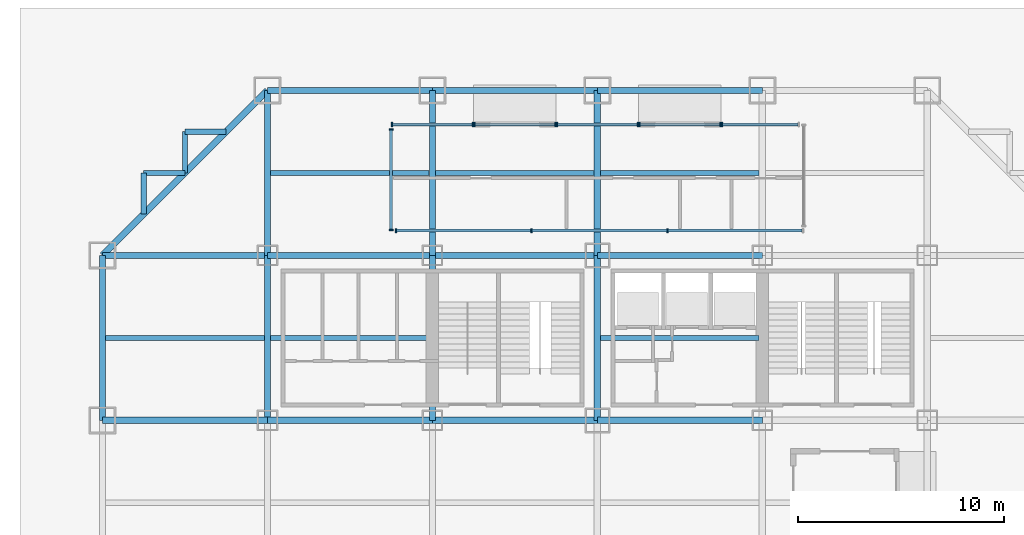
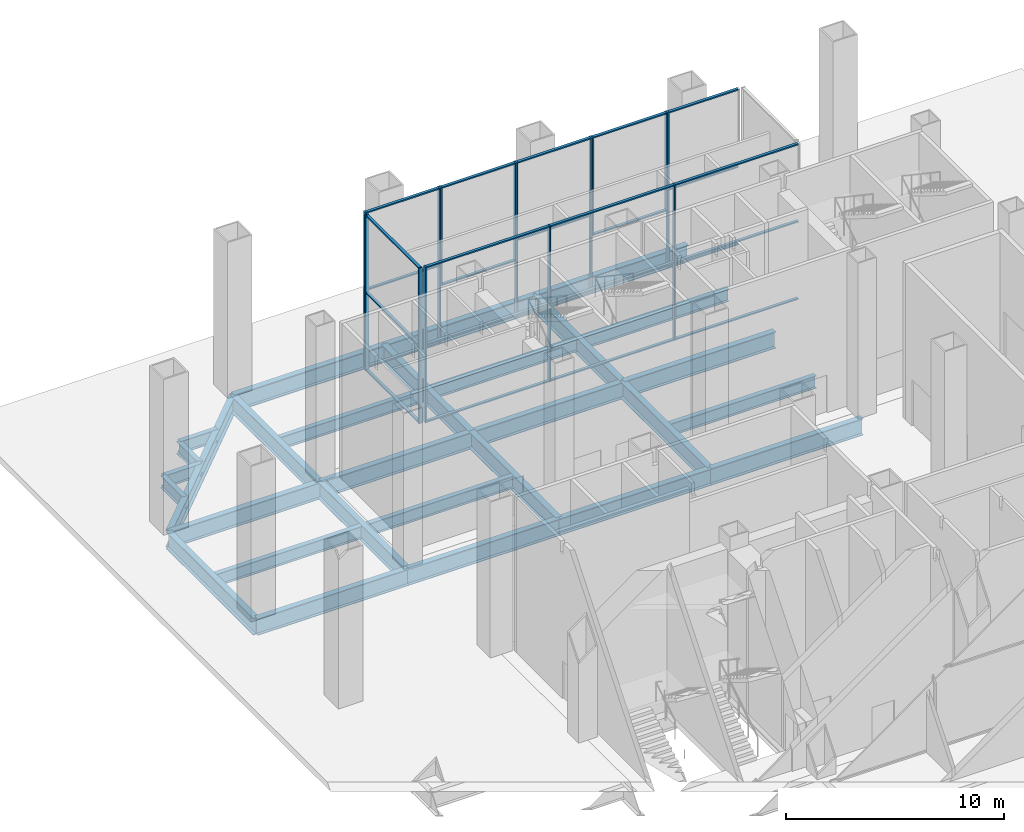
# One storey, part 4 of 14: 39 members, 29 beams, 7 elements without a shape of their own.
"""IFC4 building model written with IfcOpenShell, lengths in metres."""

from ifc_helpers import new_model, si_unit, direction, frame, origin, origin_2d, place, context, subcontext, project, spatial, rectangle, i_section, extrude, material, material_profile, profile_set, type_object, element, aggregate, save


model = new_model("IFC4")

# Units and contexts
model_context = context("Model", 3, precision=1e-05, world=origin(), true_north=direction((0.0, 1.0)))
body_context = subcontext(model_context, "Body", "Model", "MODEL_VIEW")
ifc_project = project(units=[si_unit("LENGTHUNIT", "METRE"), si_unit("AREAUNIT", "SQUARE_METRE"), si_unit("VOLUMEUNIT", "CUBIC_METRE"), si_unit("PLANEANGLEUNIT", "RADIAN"), si_unit("MASSUNIT", "GRAM", prefix="KILO")], contexts=[model_context])

# Site, building, storey
site_placement = place(None, origin())
site = spatial("IfcSite", under=ifc_project, at=site_placement, CompositionType="ELEMENT")
building_placement = place(site_placement, origin())
building = spatial("IfcBuilding", under=site, at=building_placement, Name="Immortelle Media Tower", CompositionType="ELEMENT")
storey_placement = place(building_placement, origin())
storey = spatial("IfcBuildingStorey", under=building, at=storey_placement, Name="G", CompositionType="ELEMENT", Elevation=0.0)

# Curtain wall, member
ifc_material_1 = material(Name="Aluminium curtain wall system", Category="aluminium")
curtain_wall_type = type_object("IfcCurtainWallType", Name="Shopfront glazing curtain wall", PredefinedType="NOTDEFINED", material=ifc_material_1)
curtain_wall_1_placement = place(storey_placement, origin())
curtain_wall_1 = element("IfcCurtainWall", 1, at=curtain_wall_1_placement, inside=storey, type_object=curtain_wall_type, Name="Shopfront G N 2-1", PredefinedType="NOTDEFINED")
ifc_material_2 = material(Name="Aluminium 6063-T6", Category="aluminium")
ifc_material_profile_1 = material_profile(ifc_material_2, rectangle(XDim=0.199951171875, YDim=0.070068359375, at=origin_2d()), Name="AL 70x200")
ifc_profile_set_1 = profile_set([ifc_material_profile_1], Name="Aluminium 6063-T6")
member_type_1 = type_object("IfcMemberType", Name="Shopfront glazing mullion 70 x 200", PredefinedType="MULLION", material=ifc_profile_set_1)
member_1_placement = place(storey_placement, frame((30.034912109375, 46.35009765625, 0.0), z_axis=(0.0, 0.0, 1.0), x_axis=(0.0, -1.0, 0.0)))
member_1 = element("IfcMember", 2, at=member_1_placement, type_object=member_type_1, Name="CW2 mullion 2", PredefinedType="MULLION", context=body_context, shape_type="SweptSolid", body=[
    extrude(rectangle(XDim=0.199951171875, YDim=0.070068359375, at=origin_2d()), origin(), (0.0, 0.0, 1.0), 8.699951171875),
])

# Curtain wall, members
curtain_wall_2_placement = place(storey_placement, origin())
curtain_wall_2 = element("IfcCurtainWall", 3, at=curtain_wall_2_placement, inside=storey, type_object=curtain_wall_type, Name="Shopfront above doors G N 2-2", PredefinedType="NOTDEFINED")
member_2_placement = place(storey_placement, frame((29.965087890625, 46.35009765625, 3.199951171875), z_axis=(0.0, 0.0, 1.0), x_axis=(0.0, -1.0, 0.0)))
member_2 = element("IfcMember", 4, at=member_2_placement, type_object=member_type_1, Name="CW2 mullion 1", PredefinedType="MULLION", context=body_context, shape_type="SweptSolid", body=[
    extrude(rectangle(XDim=0.199951171875, YDim=0.070068359375, at=origin_2d()), origin(), (0.0, 0.0, 1.0), 5.5),
])
member_3_placement = place(storey_placement, frame((26.034912109375, 46.35009765625, 3.199951171875), z_axis=(0.0, 0.0, 1.0), x_axis=(0.0, -1.0, 0.0)))
member_3 = element("IfcMember", 5, at=member_3_placement, type_object=member_type_1, Name="CW2 mullion 2", PredefinedType="MULLION", context=body_context, shape_type="SweptSolid", body=[
    extrude(rectangle(XDim=0.199951171875, YDim=0.070068359375, at=origin_2d()), origin(), (0.0, 0.0, 1.0), 5.5),
])

curtain_wall_3_placement = place(storey_placement, origin())
curtain_wall_3 = element("IfcCurtainWall", 6, at=curtain_wall_3_placement, inside=storey, type_object=curtain_wall_type, Name="Shopfront G N 2-3", PredefinedType="NOTDEFINED")
member_4_placement = place(storey_placement, frame((25.965087890625, 46.35009765625, 0.0), z_axis=(0.0, 0.0, 1.0), x_axis=(0.0, -1.0, 0.0)))
member_4 = element("IfcMember", 7, at=member_4_placement, type_object=member_type_1, Name="CW2 mullion 1", PredefinedType="MULLION", context=body_context, shape_type="SweptSolid", body=[
    extrude(rectangle(XDim=0.199951171875, YDim=0.070068359375, at=origin_2d()), origin(), (0.0, 0.0, 1.0), 8.699951171875),
])
member_5_placement = place(storey_placement, frame((22.034912109375, 46.35009765625, 0.0), z_axis=(0.0, 0.0, 1.0), x_axis=(0.0, -1.0, 0.0)))
member_5 = element("IfcMember", 8, at=member_5_placement, type_object=member_type_1, Name="CW2 mullion 2", PredefinedType="MULLION", context=body_context, shape_type="SweptSolid", body=[
    extrude(rectangle(XDim=0.199951171875, YDim=0.070068359375, at=origin_2d()), origin(), (0.0, 0.0, 1.0), 8.699951171875),
])

curtain_wall_4_placement = place(storey_placement, origin())
curtain_wall_4 = element("IfcCurtainWall", 9, at=curtain_wall_4_placement, inside=storey, type_object=curtain_wall_type, Name="Shopfront above doors G N 2-4", PredefinedType="NOTDEFINED")
member_6_placement = place(storey_placement, frame((21.965087890625, 46.35009765625, 3.199951171875), z_axis=(0.0, 0.0, 1.0), x_axis=(0.0, -1.0, 0.0)))
member_6 = element("IfcMember", 10, at=member_6_placement, type_object=member_type_1, Name="CW2 mullion 1", PredefinedType="MULLION", context=body_context, shape_type="SweptSolid", body=[
    extrude(rectangle(XDim=0.199951171875, YDim=0.070068359375, at=origin_2d()), origin(), (0.0, 0.0, 1.0), 5.5),
])
member_7_placement = place(storey_placement, frame((18.034912109375, 46.35009765625, 3.199951171875), z_axis=(0.0, 0.0, 1.0), x_axis=(0.0, -1.0, 0.0)))
member_7 = element("IfcMember", 11, at=member_7_placement, type_object=member_type_1, Name="CW2 mullion 2", PredefinedType="MULLION", context=body_context, shape_type="SweptSolid", body=[
    extrude(rectangle(XDim=0.199951171875, YDim=0.070068359375, at=origin_2d()), origin(), (0.0, 0.0, 1.0), 5.5),
])

curtain_wall_5_placement = place(storey_placement, origin())
curtain_wall_5 = element("IfcCurtainWall", 12, at=curtain_wall_5_placement, inside=storey, type_object=curtain_wall_type, Name="Shopfront G N 2-5", PredefinedType="NOTDEFINED")
member_8_placement = place(storey_placement, frame((17.965087890625, 46.35009765625, 0.0), z_axis=(0.0, 0.0, 1.0), x_axis=(0.0, -1.0, 0.0)))
member_8 = element("IfcMember", 13, at=member_8_placement, type_object=member_type_1, Name="CW2 mullion 1", PredefinedType="MULLION", context=body_context, shape_type="SweptSolid", body=[
    extrude(rectangle(XDim=0.199951171875, YDim=0.070068359375, at=origin_2d()), origin(), (0.0, 0.0, 1.0), 8.699951171875),
])
member_9_placement = place(storey_placement, frame((14.034912109375, 46.35009765625, 0.0), z_axis=(0.0, 0.0, 1.0), x_axis=(0.0, -1.0, 0.0)))
member_9 = element("IfcMember", 14, at=member_9_placement, type_object=member_type_1, Name="CW2 mullion 2", PredefinedType="MULLION", context=body_context, shape_type="SweptSolid", body=[
    extrude(rectangle(XDim=0.199951171875, YDim=0.070068359375, at=origin_2d()), origin(), (0.0, 0.0, 1.0), 8.699951171875),
])

curtain_wall_6_placement = place(storey_placement, origin())
curtain_wall_6 = element("IfcCurtainWall", 15, at=curtain_wall_6_placement, inside=storey, type_object=curtain_wall_type, Name="Shopfront G W 3", PredefinedType="NOTDEFINED")
member_10_placement = place(storey_placement, frame((14.0, 46.114990234375, 0.0), z_axis=(0.0, 0.0, 1.0), x_axis=(1.0, 0.0, 0.0)))
member_10 = element("IfcMember", 16, at=member_10_placement, type_object=member_type_1, Name="CW2 mullion 1", PredefinedType="MULLION", context=body_context, shape_type="SweptSolid", body=[
    extrude(rectangle(XDim=0.199951171875, YDim=0.070068359375, at=origin_2d()), origin(), (0.0, 0.0, 1.0), 8.699951171875),
])
member_11_placement = place(storey_placement, frame((14.0, 41.235107421875, 0.0), z_axis=(0.0, 0.0, 1.0), x_axis=(1.0, 0.0, 0.0)))
member_11 = element("IfcMember", 17, at=member_11_placement, type_object=member_type_1, Name="CW2 mullion 2", PredefinedType="MULLION", context=body_context, shape_type="SweptSolid", body=[
    extrude(rectangle(XDim=0.199951171875, YDim=0.070068359375, at=origin_2d()), origin(), (0.0, 0.0, 1.0), 8.699951171875),
])

curtain_wall_7_placement = place(storey_placement, origin())
curtain_wall_7 = element("IfcCurtainWall", 18, at=curtain_wall_7_placement, inside=storey, type_object=curtain_wall_type, Name="Shopfront G S 4", PredefinedType="NOTDEFINED")
member_12_placement = place(storey_placement, frame((14.235107421875, 41.199951171875, 0.0), z_axis=(0.0, 0.0, 1.0), x_axis=(0.0, 1.0, 0.0)))
member_12 = element("IfcMember", 19, at=member_12_placement, type_object=member_type_1, Name="CW2 mullion 1", PredefinedType="MULLION", context=body_context, shape_type="SweptSolid", body=[
    extrude(rectangle(XDim=0.199951171875, YDim=0.070068359375, at=origin_2d()), origin(), (0.0, 0.0, 1.0), 8.699951171875),
])
member_13_placement = place(storey_placement, frame((20.800048828125, 41.199951171875, 0.0), z_axis=(0.0, 0.0, 1.0), x_axis=(0.0, 1.0, 0.0)))
member_13 = element("IfcMember", 20, at=member_13_placement, type_object=member_type_1, Name="CW2 mullion 2", PredefinedType="MULLION", context=body_context, shape_type="SweptSolid", body=[
    extrude(rectangle(XDim=0.199951171875, YDim=0.070068359375, at=origin_2d()), origin(), (0.0, 0.0, 1.0), 8.699951171875),
])
member_14_placement = place(storey_placement, frame((27.39990234375, 41.199951171875, 0.0), z_axis=(0.0, 0.0, 1.0), x_axis=(0.0, 1.0, 0.0)))
member_14 = element("IfcMember", 21, at=member_14_placement, type_object=member_type_1, Name="CW2 mullion 3", PredefinedType="MULLION", context=body_context, shape_type="SweptSolid", body=[
    extrude(rectangle(XDim=0.199951171875, YDim=0.070068359375, at=origin_2d()), origin(), (0.0, 0.0, 1.0), 8.699951171875),
])

# Member
ifc_material_profile_2 = material_profile(ifc_material_2, rectangle(XDim=0.14990234375, YDim=0.070068359375, at=origin_2d()), Name="AL 70x150")
ifc_profile_set_2 = profile_set([ifc_material_profile_2], Name="Aluminium 6063-T6")
member_type_2 = type_object("IfcMemberType", Name="Shopfront glazing transom 70 x 150", PredefinedType="USERDEFINED", material=ifc_profile_set_2)
member_15_placement = place(storey_placement, frame((33.72998046875, 46.35009765625, 0.034912109375), z_axis=(-1.0, 0.0, 0.0), x_axis=(0.0, -1.0, 0.0)))
member_15 = element("IfcMember", 22, at=member_15_placement, type_object=member_type_2, Name="CW2 transom 1.1", ObjectType="TRANSOM", PredefinedType="USERDEFINED", context=body_context, shape_type="SweptSolid", body=[
    extrude(rectangle(XDim=0.14990234375, YDim=0.070068359375, at=origin_2d()), origin(), (0.0, 0.0, 1.0), 3.659912109375),
])

member_16_placement = place(storey_placement, frame((33.72998046875, 46.35009765625, 4.35009765625), z_axis=(-1.0, 0.0, 0.0), x_axis=(0.0, -1.0, 0.0)))
member_16 = element("IfcMember", 23, at=member_16_placement, type_object=member_type_2, Name="CW2 transom 1.2", ObjectType="TRANSOM", PredefinedType="USERDEFINED", context=body_context, shape_type="SweptSolid", body=[
    extrude(rectangle(XDim=0.14990234375, YDim=0.070068359375, at=origin_2d()), origin(), (0.0, 0.0, 1.0), 3.659912109375),
])

member_17_placement = place(storey_placement, frame((33.72998046875, 46.35009765625, 8.6650390625), z_axis=(-1.0, 0.0, 0.0), x_axis=(0.0, -1.0, 0.0)))
member_17 = element("IfcMember", 24, at=member_17_placement, type_object=member_type_2, Name="CW2 transom 1.3", ObjectType="TRANSOM", PredefinedType="USERDEFINED", context=body_context, shape_type="SweptSolid", body=[
    extrude(rectangle(XDim=0.14990234375, YDim=0.070068359375, at=origin_2d()), origin(), (0.0, 0.0, 1.0), 3.659912109375),
])

aggregate(curtain_wall_1, [member_1, member_15, member_16, member_17])

member_18_placement = place(storey_placement, frame((29.929931640625, 46.35009765625, 3.235107421875), z_axis=(-1.0, 0.0, 0.0), x_axis=(0.0, -1.0, 0.0)))
member_18 = element("IfcMember", 25, at=member_18_placement, type_object=member_type_2, Name="CW2 transom 1.1", ObjectType="TRANSOM", PredefinedType="USERDEFINED", context=body_context, shape_type="SweptSolid", body=[
    extrude(rectangle(XDim=0.14990234375, YDim=0.070068359375, at=origin_2d()), origin(), (0.0, 0.0, 1.0), 3.85986328125),
])

member_19_placement = place(storey_placement, frame((29.929931640625, 46.35009765625, 8.6650390625), z_axis=(-1.0, 0.0, 0.0), x_axis=(0.0, -1.0, 0.0)))
member_19 = element("IfcMember", 26, at=member_19_placement, type_object=member_type_2, Name="CW2 transom 1.2", ObjectType="TRANSOM", PredefinedType="USERDEFINED", context=body_context, shape_type="SweptSolid", body=[
    extrude(rectangle(XDim=0.14990234375, YDim=0.070068359375, at=origin_2d()), origin(), (0.0, 0.0, 1.0), 3.85986328125),
])

aggregate(curtain_wall_2, [member_2, member_3, member_18, member_19])

member_20_placement = place(storey_placement, frame((25.929931640625, 46.35009765625, 0.034912109375), z_axis=(-1.0, 0.0, 0.0), x_axis=(0.0, -1.0, 0.0)))
member_20 = element("IfcMember", 27, at=member_20_placement, type_object=member_type_2, Name="CW2 transom 1.1", ObjectType="TRANSOM", PredefinedType="USERDEFINED", context=body_context, shape_type="SweptSolid", body=[
    extrude(rectangle(XDim=0.14990234375, YDim=0.070068359375, at=origin_2d()), origin(), (0.0, 0.0, 1.0), 3.85986328125),
])

member_21_placement = place(storey_placement, frame((25.929931640625, 46.35009765625, 4.35009765625), z_axis=(-1.0, 0.0, 0.0), x_axis=(0.0, -1.0, 0.0)))
member_21 = element("IfcMember", 28, at=member_21_placement, type_object=member_type_2, Name="CW2 transom 1.2", ObjectType="TRANSOM", PredefinedType="USERDEFINED", context=body_context, shape_type="SweptSolid", body=[
    extrude(rectangle(XDim=0.14990234375, YDim=0.070068359375, at=origin_2d()), origin(), (0.0, 0.0, 1.0), 3.85986328125),
])

member_22_placement = place(storey_placement, frame((25.929931640625, 46.35009765625, 8.6650390625), z_axis=(-1.0, 0.0, 0.0), x_axis=(0.0, -1.0, 0.0)))
member_22 = element("IfcMember", 29, at=member_22_placement, type_object=member_type_2, Name="CW2 transom 1.3", ObjectType="TRANSOM", PredefinedType="USERDEFINED", context=body_context, shape_type="SweptSolid", body=[
    extrude(rectangle(XDim=0.14990234375, YDim=0.070068359375, at=origin_2d()), origin(), (0.0, 0.0, 1.0), 3.85986328125),
])

aggregate(curtain_wall_3, [member_4, member_5, member_20, member_21, member_22])

member_23_placement = place(storey_placement, frame((21.929931640625, 46.35009765625, 3.235107421875), z_axis=(-1.0, 0.0, 0.0), x_axis=(0.0, -1.0, 0.0)))
member_23 = element("IfcMember", 30, at=member_23_placement, type_object=member_type_2, Name="CW2 transom 1.1", ObjectType="TRANSOM", PredefinedType="USERDEFINED", context=body_context, shape_type="SweptSolid", body=[
    extrude(rectangle(XDim=0.14990234375, YDim=0.070068359375, at=origin_2d()), origin(), (0.0, 0.0, 1.0), 3.85986328125),
])

member_24_placement = place(storey_placement, frame((21.929931640625, 46.35009765625, 8.6650390625), z_axis=(-1.0, 0.0, 0.0), x_axis=(0.0, -1.0, 0.0)))
member_24 = element("IfcMember", 31, at=member_24_placement, type_object=member_type_2, Name="CW2 transom 1.2", ObjectType="TRANSOM", PredefinedType="USERDEFINED", context=body_context, shape_type="SweptSolid", body=[
    extrude(rectangle(XDim=0.14990234375, YDim=0.070068359375, at=origin_2d()), origin(), (0.0, 0.0, 1.0), 3.85986328125),
])

aggregate(curtain_wall_4, [member_6, member_7, member_23, member_24])

member_25_placement = place(storey_placement, frame((17.929931640625, 46.35009765625, 0.034912109375), z_axis=(-1.0, 0.0, 0.0), x_axis=(0.0, -1.0, 0.0)))
member_25 = element("IfcMember", 32, at=member_25_placement, type_object=member_type_2, Name="CW2 transom 1.1", ObjectType="TRANSOM", PredefinedType="USERDEFINED", context=body_context, shape_type="SweptSolid", body=[
    extrude(rectangle(XDim=0.14990234375, YDim=0.070068359375, at=origin_2d()), origin(), (0.0, 0.0, 1.0), 3.85986328125),
])

member_26_placement = place(storey_placement, frame((17.929931640625, 46.35009765625, 4.35009765625), z_axis=(-1.0, 0.0, 0.0), x_axis=(0.0, -1.0, 0.0)))
member_26 = element("IfcMember", 33, at=member_26_placement, type_object=member_type_2, Name="CW2 transom 1.2", ObjectType="TRANSOM", PredefinedType="USERDEFINED", context=body_context, shape_type="SweptSolid", body=[
    extrude(rectangle(XDim=0.14990234375, YDim=0.070068359375, at=origin_2d()), origin(), (0.0, 0.0, 1.0), 3.85986328125),
])

member_27_placement = place(storey_placement, frame((17.929931640625, 46.35009765625, 8.6650390625), z_axis=(-1.0, 0.0, 0.0), x_axis=(0.0, -1.0, 0.0)))
member_27 = element("IfcMember", 34, at=member_27_placement, type_object=member_type_2, Name="CW2 transom 1.3", ObjectType="TRANSOM", PredefinedType="USERDEFINED", context=body_context, shape_type="SweptSolid", body=[
    extrude(rectangle(XDim=0.14990234375, YDim=0.070068359375, at=origin_2d()), origin(), (0.0, 0.0, 1.0), 3.85986328125),
])

aggregate(curtain_wall_5, [member_8, member_9, member_25, member_26, member_27])

member_28_placement = place(storey_placement, frame((14.0, 46.080078125, 0.034912109375), z_axis=(0.0, -1.0, 0.0), x_axis=(1.0, 0.0, 0.0)))
member_28 = element("IfcMember", 35, at=member_28_placement, type_object=member_type_2, Name="CW2 transom 1.1", ObjectType="TRANSOM", PredefinedType="USERDEFINED", context=body_context, shape_type="SweptSolid", body=[
    extrude(rectangle(XDim=0.14990234375, YDim=0.070068359375, at=origin_2d()), origin(), (0.0, 0.0, 1.0), 4.81005859375),
])

member_29_placement = place(storey_placement, frame((14.0, 46.080078125, 4.35009765625), z_axis=(0.0, -1.0, 0.0), x_axis=(1.0, 0.0, 0.0)))
member_29 = element("IfcMember", 36, at=member_29_placement, type_object=member_type_2, Name="CW2 transom 1.2", ObjectType="TRANSOM", PredefinedType="USERDEFINED", context=body_context, shape_type="SweptSolid", body=[
    extrude(rectangle(XDim=0.14990234375, YDim=0.070068359375, at=origin_2d()), origin(), (0.0, 0.0, 1.0), 4.81005859375),
])

member_30_placement = place(storey_placement, frame((14.0, 46.080078125, 8.6650390625), z_axis=(0.0, -1.0, 0.0), x_axis=(1.0, 0.0, 0.0)))
member_30 = element("IfcMember", 37, at=member_30_placement, type_object=member_type_2, Name="CW2 transom 1.3", ObjectType="TRANSOM", PredefinedType="USERDEFINED", context=body_context, shape_type="SweptSolid", body=[
    extrude(rectangle(XDim=0.14990234375, YDim=0.070068359375, at=origin_2d()), origin(), (0.0, 0.0, 1.0), 4.81005859375),
])

aggregate(curtain_wall_6, [member_10, member_11, member_28, member_29, member_30])

member_31_placement = place(storey_placement, frame((14.27001953125, 41.199951171875, 0.034912109375), z_axis=(1.0, 0.0, 0.0), x_axis=(0.0, 1.0, 0.0)))
member_31 = element("IfcMember", 38, at=member_31_placement, type_object=member_type_2, Name="CW2 transom 1.1", ObjectType="TRANSOM", PredefinedType="USERDEFINED", context=body_context, shape_type="SweptSolid", body=[
    extrude(rectangle(XDim=0.14990234375, YDim=0.070068359375, at=origin_2d()), origin(), (0.0, 0.0, 1.0), 6.494873046875),
])

member_32_placement = place(storey_placement, frame((14.27001953125, 41.199951171875, 4.35009765625), z_axis=(1.0, 0.0, 0.0), x_axis=(0.0, 1.0, 0.0)))
member_32 = element("IfcMember", 39, at=member_32_placement, type_object=member_type_2, Name="CW2 transom 1.2", ObjectType="TRANSOM", PredefinedType="USERDEFINED", context=body_context, shape_type="SweptSolid", body=[
    extrude(rectangle(XDim=0.14990234375, YDim=0.070068359375, at=origin_2d()), origin(), (0.0, 0.0, 1.0), 6.494873046875),
])

member_33_placement = place(storey_placement, frame((14.27001953125, 41.199951171875, 8.6650390625), z_axis=(1.0, 0.0, 0.0), x_axis=(0.0, 1.0, 0.0)))
member_33 = element("IfcMember", 40, at=member_33_placement, type_object=member_type_2, Name="CW2 transom 1.3", ObjectType="TRANSOM", PredefinedType="USERDEFINED", context=body_context, shape_type="SweptSolid", body=[
    extrude(rectangle(XDim=0.14990234375, YDim=0.070068359375, at=origin_2d()), origin(), (0.0, 0.0, 1.0), 6.494873046875),
])

member_34_placement = place(storey_placement, frame((20.8349609375, 41.199951171875, 0.034912109375), z_axis=(1.0, 0.0, 0.0), x_axis=(0.0, 1.0, 0.0)))
member_34 = element("IfcMember", 41, at=member_34_placement, type_object=member_type_2, Name="CW2 transom 2.1", ObjectType="TRANSOM", PredefinedType="USERDEFINED", context=body_context, shape_type="SweptSolid", body=[
    extrude(rectangle(XDim=0.14990234375, YDim=0.070068359375, at=origin_2d()), origin(), (0.0, 0.0, 1.0), 6.530029296875),
])

member_35_placement = place(storey_placement, frame((20.8349609375, 41.199951171875, 4.35009765625), z_axis=(1.0, 0.0, 0.0), x_axis=(0.0, 1.0, 0.0)))
member_35 = element("IfcMember", 42, at=member_35_placement, type_object=member_type_2, Name="CW2 transom 2.2", ObjectType="TRANSOM", PredefinedType="USERDEFINED", context=body_context, shape_type="SweptSolid", body=[
    extrude(rectangle(XDim=0.14990234375, YDim=0.070068359375, at=origin_2d()), origin(), (0.0, 0.0, 1.0), 6.530029296875),
])

member_36_placement = place(storey_placement, frame((20.8349609375, 41.199951171875, 8.6650390625), z_axis=(1.0, 0.0, 0.0), x_axis=(0.0, 1.0, 0.0)))
member_36 = element("IfcMember", 43, at=member_36_placement, type_object=member_type_2, Name="CW2 transom 2.3", ObjectType="TRANSOM", PredefinedType="USERDEFINED", context=body_context, shape_type="SweptSolid", body=[
    extrude(rectangle(XDim=0.14990234375, YDim=0.070068359375, at=origin_2d()), origin(), (0.0, 0.0, 1.0), 6.530029296875),
])

member_37_placement = place(storey_placement, frame((27.43505859375, 41.199951171875, 0.034912109375), z_axis=(1.0, 0.0, 0.0), x_axis=(0.0, 1.0, 0.0)))
member_37 = element("IfcMember", 44, at=member_37_placement, type_object=member_type_2, Name="CW2 transom 3.1", ObjectType="TRANSOM", PredefinedType="USERDEFINED", context=body_context, shape_type="SweptSolid", body=[
    extrude(rectangle(XDim=0.14990234375, YDim=0.070068359375, at=origin_2d()), origin(), (0.0, 0.0, 1.0), 6.494873046875),
])

member_38_placement = place(storey_placement, frame((27.43505859375, 41.199951171875, 4.35009765625), z_axis=(1.0, 0.0, 0.0), x_axis=(0.0, 1.0, 0.0)))
member_38 = element("IfcMember", 45, at=member_38_placement, type_object=member_type_2, Name="CW2 transom 3.2", ObjectType="TRANSOM", PredefinedType="USERDEFINED", context=body_context, shape_type="SweptSolid", body=[
    extrude(rectangle(XDim=0.14990234375, YDim=0.070068359375, at=origin_2d()), origin(), (0.0, 0.0, 1.0), 6.494873046875),
])

member_39_placement = place(storey_placement, frame((27.43505859375, 41.199951171875, 8.6650390625), z_axis=(1.0, 0.0, 0.0), x_axis=(0.0, 1.0, 0.0)))
member_39 = element("IfcMember", 46, at=member_39_placement, type_object=member_type_2, Name="CW2 transom 3.3", ObjectType="TRANSOM", PredefinedType="USERDEFINED", context=body_context, shape_type="SweptSolid", body=[
    extrude(rectangle(XDim=0.14990234375, YDim=0.070068359375, at=origin_2d()), origin(), (0.0, 0.0, 1.0), 6.494873046875),
])

aggregate(curtain_wall_7, [member_12, member_13, member_14, member_31, member_32, member_33, member_34, member_35, member_36, member_37, member_38, member_39])

# Beams
ifc_material_3 = material(Name="Steel ASTM A992 Gr 50", Category="steel")
ifc_material_profile_3 = material_profile(ifc_material_3, i_section(OverallWidth=0.257080078125, OverallDepth=0.693115234375, WebThickness=0.013916015625, FlangeThickness=0.02392578125, at=origin_2d()), Name="W27x114")
ifc_profile_set_3 = profile_set([ifc_material_profile_3], Name="Steel ASTM A992 Gr 50")
beam_type_1 = type_object("IfcBeamType", Name="W27x114 secondary beam", PredefinedType="JOIST", material=ifc_profile_set_3)
beam_1_placement = place(storey_placement, frame((0.155029296875, 36.0, -0.696533203125), z_axis=(1.0, 0.0, 0.0), x_axis=(0.0, 1.0, 0.0)))
element("IfcBeam", 47, at=beam_1_placement, inside=storey, type_object=beam_type_1, Name="Beam E-F/1-2", PredefinedType="JOIST", context=body_context, shape_type="SweptSolid", body=[
    extrude(i_section(OverallWidth=0.257080078125, OverallDepth=0.693115234375, WebThickness=0.013916015625, FlangeThickness=0.02392578125, at=origin_2d()), origin(), (0.0, 0.0, 1.0), 7.69140625),
])
for number, where, z_axis, x_axis, name in (
    (48, (8.153564453125, 36.0, -0.696533203125), (1.0, 0.0, 0.0), (0.0, 1.0, 0.0), "Beam E-F/2-3"),
    (49, (24.153564453125, 36.0, -0.696533203125), (1.0, 0.0, 0.0), (0.0, 1.0, 0.0), "Beam E-F/4-5"),
    (50, (8.153564453125, 44.0, -0.696533203125), (1.0, 0.0, 0.0), (0.0, 1.0, 0.0), "Beam F-G/2-3"),
    (51, (16.153564453125, 44.0, -0.696533203125), (1.0, 0.0, 0.0), (0.0, 1.0, 0.0), "Beam F-G/3-4"),
    (52, (24.153564453125, 44.0, -0.696533203125), (1.0, 0.0, 0.0), (0.0, 1.0, 0.0), "Beam F-G/4-5"),
):
    element("IfcBeam", number, at=place(storey_placement, frame(where, z_axis=z_axis, x_axis=x_axis)), inside=storey, type_object=beam_type_1, Name=name, PredefinedType="JOIST", context=body_context, shape_type="SweptSolid", body=[
        extrude(i_section(OverallWidth=0.257080078125, OverallDepth=0.693115234375, WebThickness=0.013916015625, FlangeThickness=0.02392578125, at=origin_2d()), origin(), (0.0, 0.0, 1.0), 7.69287109375),
    ])
ifc_material_profile_4 = material_profile(ifc_material_3, i_section(OverallWidth=0.257080078125, OverallDepth=0.693115234375, WebThickness=0.013916015625, FlangeThickness=0.02392578125, at=origin_2d()), Name="W27x114")
ifc_profile_set_4 = profile_set([ifc_material_profile_4], Name="Steel ASTM A992 Gr 50")
beam_type_2 = type_object("IfcBeamType", Name="W27x114 serration edge beam", PredefinedType="SPANDREL", material=ifc_profile_set_4)
for number, where, z_axis, x_axis, name in (
    (53, (2.0, 42.0, -0.696533203125), (0.0, 1.0, 0.0), (-1.0, 0.0, 0.0), "Corner edge beam 1 at 1/G"),
    (54, (2.0, 44.0, -0.696533203125), (1.0, 0.0, 0.0), (0.0, 1.0, 0.0), "Corner edge beam 2 at 1/G"),
    (55, (4.0, 44.0, -0.696533203125), (0.0, 1.0, 0.0), (-1.0, 0.0, 0.0), "Corner edge beam 3 at 1/G"),
    (56, (4.0, 46.0, -0.696533203125), (1.0, 0.0, 0.0), (0.0, 1.0, 0.0), "Corner edge beam 4 at 1/G"),
):
    element("IfcBeam", number, at=place(storey_placement, frame(where, z_axis=z_axis, x_axis=x_axis)), inside=storey, type_object=beam_type_2, Name=name, PredefinedType="SPANDREL", context=body_context, shape_type="SweptSolid", body=[
        extrude(i_section(OverallWidth=0.257080078125, OverallDepth=0.693115234375, WebThickness=0.013916015625, FlangeThickness=0.02392578125, at=origin_2d()), origin(), (0.0, 0.0, 1.0), 2.0),
    ])
ifc_material_profile_5 = material_profile(ifc_material_3, i_section(OverallWidth=0.306884765625, OverallDepth=0.927001953125, WebThickness=0.01904296875, FlangeThickness=0.031982421875, at=origin_2d()), Name="W36x194")
ifc_profile_set_5 = profile_set([ifc_material_profile_5], Name="Steel ASTM A992 Gr 50")
beam_type_3 = type_object("IfcBeamType", Name="W36x194 girder", PredefinedType="BEAM", material=ifc_profile_set_5)
for number, where, z_axis, x_axis, name in (
    (57, (0.0, 32.0, -0.8134765625), (1.0, 0.0, 0.0), (0.0, 1.0, 0.0), "Girder E/1-2"),
    (58, (0.0, 40.0, -0.8134765625), (1.0, 0.0, 0.0), (0.0, 1.0, 0.0), "Girder F/1-2"),
    (59, (8.0, 32.0, -0.8134765625), (1.0, 0.0, 0.0), (0.0, 1.0, 0.0), "Girder E/2-3"),
    (60, (8.0, 32.0, -0.8134765625), (0.0, 1.0, 0.0), (-1.0, 0.0, 0.0), "Girder 2/E-F"),
    (61, (8.0, 40.0, -0.8134765625), (1.0, 0.0, 0.0), (0.0, 1.0, 0.0), "Girder F/2-3"),
    (62, (8.0, 40.0, -0.8134765625), (0.0, 1.0, 0.0), (-1.0, 0.0, 0.0), "Girder 2/F-G"),
    (63, (16.0, 32.0, -0.8134765625), (1.0, 0.0, 0.0), (0.0, 1.0, 0.0), "Girder E/3-4"),
    (64, (16.0, 32.0, -0.8134765625), (0.0, 1.0, 0.0), (-1.0, 0.0, 0.0), "Girder 3/E-F"),
    (65, (16.0, 40.0, -0.8134765625), (1.0, 0.0, 0.0), (0.0, 1.0, 0.0), "Girder F/3-4"),
    (66, (16.0, 40.0, -0.8134765625), (0.0, 1.0, 0.0), (-1.0, 0.0, 0.0), "Girder 3/F-G"),
    (67, (24.0, 32.0, -0.8134765625), (1.0, 0.0, 0.0), (0.0, 1.0, 0.0), "Girder E/4-5"),
    (68, (24.0, 32.0, -0.8134765625), (0.0, 1.0, 0.0), (-1.0, 0.0, 0.0), "Girder 4/E-F"),
    (69, (24.0, 40.0, -0.8134765625), (1.0, 0.0, 0.0), (0.0, 1.0, 0.0), "Girder F/4-5"),
    (70, (24.0, 40.0, -0.8134765625), (0.0, 1.0, 0.0), (-1.0, 0.0, 0.0), "Girder 4/F-G"),
):
    element("IfcBeam", number, at=place(storey_placement, frame(where, z_axis=z_axis, x_axis=x_axis)), inside=storey, type_object=beam_type_3, Name=name, PredefinedType="BEAM", context=body_context, shape_type="SweptSolid", body=[
        extrude(i_section(OverallWidth=0.306884765625, OverallDepth=0.927001953125, WebThickness=0.01904296875, FlangeThickness=0.031982421875, at=origin_2d()), origin(), (0.0, 0.0, 1.0), 8.0),
    ])
ifc_material_profile_6 = material_profile(ifc_material_3, i_section(OverallWidth=0.31005859375, OverallDepth=0.949951171875, WebThickness=0.02392578125, FlangeThickness=0.0439453125, at=origin_2d()), Name="W36x256")
ifc_profile_set_6 = profile_set([ifc_material_profile_6], Name="Steel ASTM A992 Gr 50")
beam_type_4 = type_object("IfcBeamType", Name="W36x256 corner girder", PredefinedType="SPANDREL", material=ifc_profile_set_6)
beam_2_placement = place(storey_placement, frame((0.0, 40.0, -0.824951171875), z_axis=(0.707106781187, 0.707106781187, 0.0), x_axis=(-0.707106781187, 0.707106781187, 0.0)))
element("IfcBeam", 71, at=beam_2_placement, inside=storey, type_object=beam_type_4, Name="Corner girder at 1/G", PredefinedType="SPANDREL", context=body_context, shape_type="SweptSolid", body=[
    extrude(i_section(OverallWidth=0.31005859375, OverallDepth=0.949951171875, WebThickness=0.02392578125, FlangeThickness=0.0439453125, at=origin_2d()), origin(), (0.0, 0.0, 1.0), 11.313720703125),
])
ifc_material_profile_7 = material_profile(ifc_material_3, i_section(OverallWidth=0.31005859375, OverallDepth=0.949951171875, WebThickness=0.02392578125, FlangeThickness=0.0439453125, at=origin_2d()), Name="W36x256")
ifc_profile_set_7 = profile_set([ifc_material_profile_7], Name="Steel ASTM A992 Gr 50")
beam_type_5 = type_object("IfcBeamType", Name="W36x256 perimeter girder", PredefinedType="SPANDREL", material=ifc_profile_set_7)
for number, where, z_axis, x_axis, name in (
    (72, (0.0, 32.0, -0.824951171875), (0.0, 1.0, 0.0), (-1.0, 0.0, 0.0), "Girder 1/E-F"),
    (73, (8.0, 48.0, -0.824951171875), (1.0, 0.0, 0.0), (0.0, 1.0, 0.0), "Girder G/2-3"),
    (74, (16.0, 48.0, -0.824951171875), (1.0, 0.0, 0.0), (0.0, 1.0, 0.0), "Girder G/3-4"),
    (75, (24.0, 48.0, -0.824951171875), (1.0, 0.0, 0.0), (0.0, 1.0, 0.0), "Girder G/4-5"),
):
    element("IfcBeam", number, at=place(storey_placement, frame(where, z_axis=z_axis, x_axis=x_axis)), inside=storey, type_object=beam_type_5, Name=name, PredefinedType="SPANDREL", context=body_context, shape_type="SweptSolid", body=[
        extrude(i_section(OverallWidth=0.31005859375, OverallDepth=0.949951171875, WebThickness=0.02392578125, FlangeThickness=0.0439453125, at=origin_2d()), origin(), (0.0, 0.0, 1.0), 8.0),
    ])

save(model, "model.ifc")
